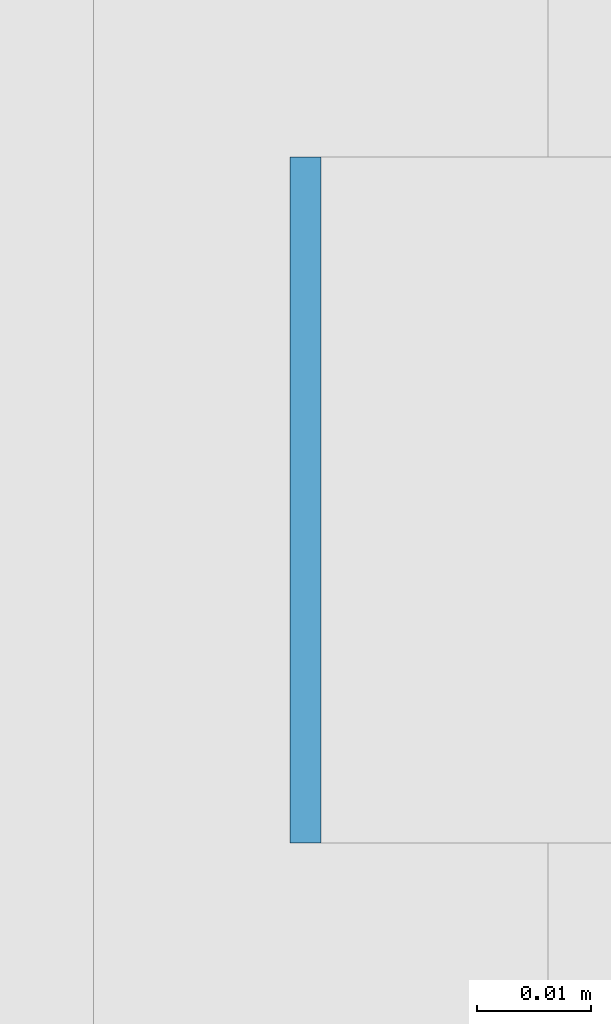
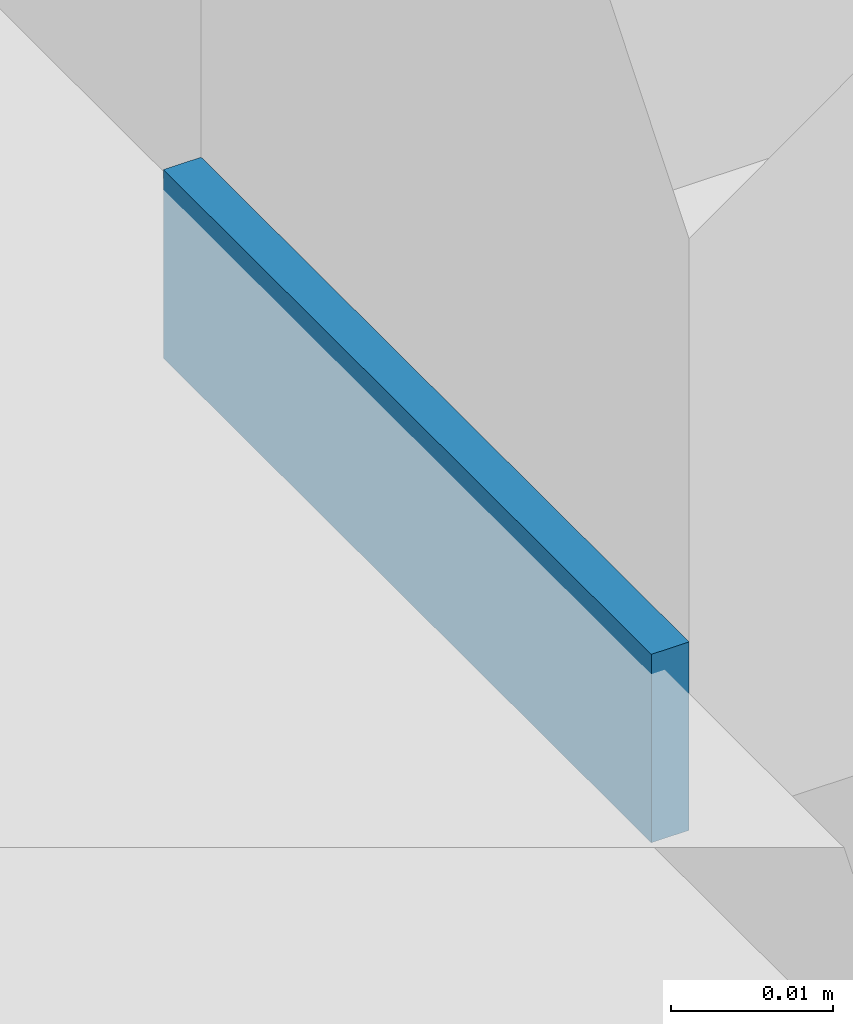
# One storey, part 482 of 646: 1 discrete accessory.
"""IFC4 building model written with IfcOpenShell, lengths in metres."""

from ifc_helpers import new_model, si_unit, direction, frame, origin, origin_2d, place, context, subcontext, project, spatial, rectangle, extrude, material, type_object, element, save


model = new_model("IFC4")

# Units and contexts
model_context = context("Model", 3, precision=1e-05, world=origin(), true_north=direction((0.0, 1.0)))
body_context = subcontext(model_context, "Body", "Model", "MODEL_VIEW")
ifc_project = project(units=[si_unit("LENGTHUNIT", "METRE"), si_unit("AREAUNIT", "SQUARE_METRE"), si_unit("VOLUMEUNIT", "CUBIC_METRE"), si_unit("PLANEANGLEUNIT", "RADIAN"), si_unit("MASSUNIT", "GRAM", prefix="KILO")], contexts=[model_context])

# Site, building, storey
site_placement = place(None, origin())
site = spatial("IfcSite", under=ifc_project, at=site_placement, CompositionType="ELEMENT")
building_placement = place(site_placement, origin())
building = spatial("IfcBuilding", under=site, at=building_placement, Name="Silverbay Arena", CompositionType="ELEMENT")
storey_placement = place(building_placement, frame((0.0, 0.0, 33.5)))
storey = spatial("IfcBuildingStorey", under=building, at=storey_placement, Name="L05", CompositionType="ELEMENT", Elevation=33.5)

# Discrete accessory
ifc_material = material(Name="Steel S355", Category="steel")
discrete_accessory_type = type_object("IfcDiscreteAccessoryType", Name="Steel bracket plate", PredefinedType="BRACKET", material=ifc_material)
discrete_accessory_placement = place(storey_placement, frame((207.128662109375, 56.571533203125, 4.0), z_axis=(0.0, 0.0, 1.0), x_axis=(1.0, 0.0, 0.0)))
element("IfcDiscreteAccessory", 1, at=discrete_accessory_placement, inside=storey, type_object=discrete_accessory_type, Name="Curtain wall packing plate", PredefinedType="BRACKET", context=body_context, shape_type="SweptSolid", body=[
    extrude(rectangle(XDim=0.002685546875, YDim=0.06005859375, at=origin_2d()), origin(), (0.0, 0.0, 1.0), 0.01416015625),
])

save(model, "model.ifc")
